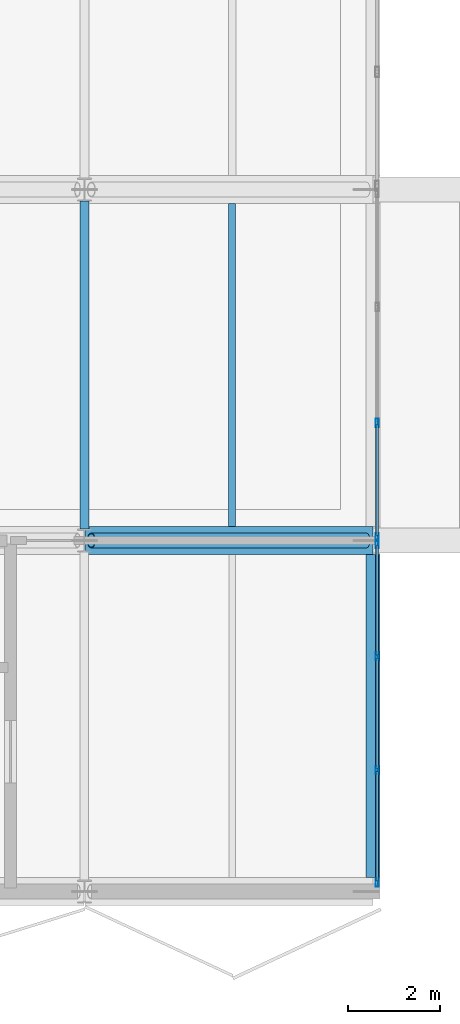
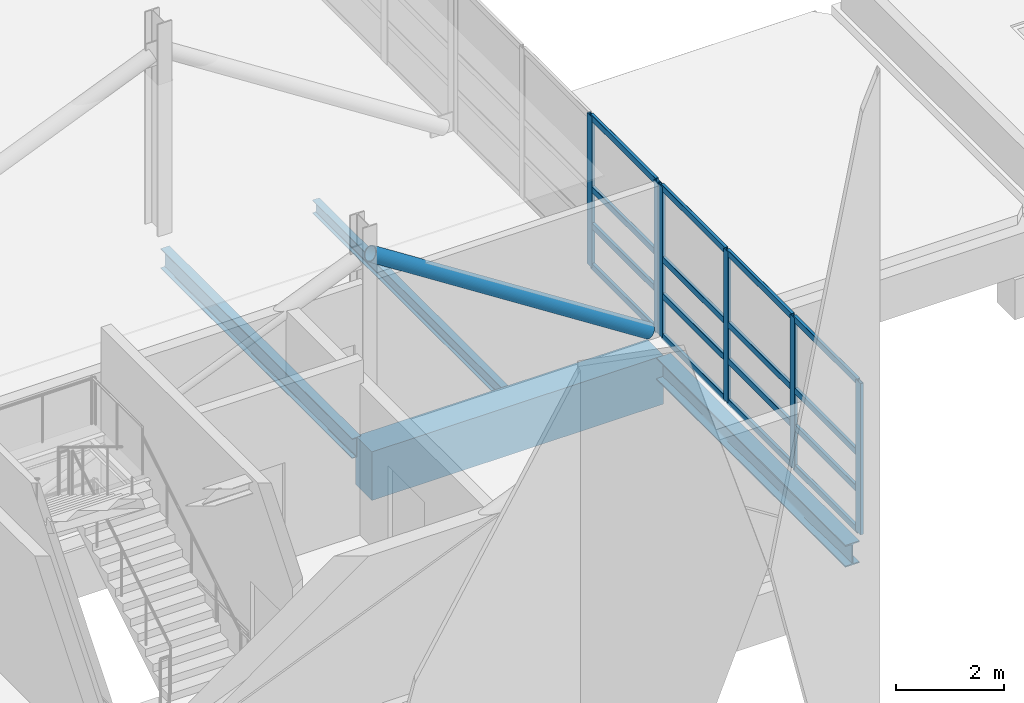
# One storey, part 11 of 107: 23 members, 4 beams, 2 elements without a shape of their own.
"""IFC4 building model written with IfcOpenShell, lengths in metres."""

import ifcopenshell
import ifcopenshell.guid

model = None  # the IFC model being written
_history = None  # IfcOwnerHistory: only IFC2X3 demands one
_inside = {}  # id of a spatial element -> (the spatial element, [elements in it])
_under = {}  # id of a project, library or spatial element -> (it, [spatial elements below it])
_declared = {}  # id of a project -> (the project, [libraries it declares])
_typed = {}  # id of a type object -> (the type object, [elements of that type])
_made_of = {}  # id of a material, layer set ... -> (it, [elements and type objects made of it])


def new_model(schema):
    """Start an empty IFC model of exactly this schema.

    Asked for "IFC4X3", IfcOpenShell would pick the latest addendum, in which some entities
    have other attributes; the version numbers below select the first issue.
    IFC2X3 requires an IfcOwnerHistory on every rooted entity: one is made here for all.
    """
    global model, _history
    if schema == "IFC4X3":
        model = ifcopenshell.file(schema_version=(4, 3, 0, 0))
    else:
        model = ifcopenshell.file(schema=schema)
    _inside.clear()
    _under.clear()
    _declared.clear()
    _typed.clear()
    _made_of.clear()
    _history = None
    if model.schema == "IFC2X3":
        org = make("IfcOrganization", Name="unknown")
        user = make(
            "IfcPersonAndOrganization",
            ThePerson=make("IfcPerson", FamilyName="unknown"),
            TheOrganization=org,
        )
        app = make(
            "IfcApplication",
            ApplicationDeveloper=org,
            Version="unknown",
            ApplicationFullName="unknown",
            ApplicationIdentifier="unknown",
        )
        _history = make(
            "IfcOwnerHistory",
            OwningUser=user,
            OwningApplication=app,
            ChangeAction="ADDED",
            CreationDate=0,
        )
    return model


def make(cls, **values):
    """One entity of the class cls with the attributes given. An attribute that is None is left unset."""
    return model.create_entity(
        cls, **{name: value for name, value in values.items() if value is not None}
    )


def rooted(cls, **values):
    """An entity with a GlobalId (a new one), such as an element, a storey or a relation."""
    return make(cls, GlobalId=ifcopenshell.guid.new(), OwnerHistory=_history, **values)


def si_unit(unit_type, name, prefix=None):
    """IfcSIUnit, for example si_unit("LENGTHUNIT", "METRE", prefix="MILLI")."""
    return make("IfcSIUnit", UnitType=unit_type, Prefix=prefix, Name=name)


def assignment(units):
    """IfcUnitAssignment: the units of a project."""
    return None if units is None else make("IfcUnitAssignment", Units=units)


def point(xyz):
    """IfcCartesianPoint."""
    return None if xyz is None else make("IfcCartesianPoint", Coordinates=xyz)


def direction(xyz):
    """IfcDirection."""
    return None if xyz is None else make("IfcDirection", DirectionRatios=xyz)


def frame(location, z_axis=None, x_axis=None):
    """IfcAxis2Placement3D, a coordinate frame: its origin and axes. An axis left out is left unset."""
    return make(
        "IfcAxis2Placement3D",
        Location=point(location),
        Axis=direction(z_axis),
        RefDirection=direction(x_axis),
    )


def frame_2d(location, x_axis=None):
    """IfcAxis2Placement2D, a coordinate frame in the plane: its origin and x axis."""
    return make(
        "IfcAxis2Placement2D", Location=point(location), RefDirection=direction(x_axis)
    )


def origin():
    """The frame at (0, 0, 0) with its axes left unset."""
    return frame((0.0, 0.0, 0.0))


def origin_2d():
    """The frame at (0, 0) in the plane with its x axis left unset."""
    return frame_2d((0.0, 0.0))


def place(relative_to, where):
    """IfcLocalPlacement: puts the frame where relative to a parent placement (None: the world)."""
    return make(
        "IfcLocalPlacement", PlacementRelTo=relative_to, RelativePlacement=where
    )


def context(
    kind, dimensions, precision=None, world=None, true_north=None, identifier=None
):
    """IfcGeometricRepresentationContext, for example the 3D "Model" context."""
    return make(
        "IfcGeometricRepresentationContext",
        ContextIdentifier=identifier,
        ContextType=kind,
        CoordinateSpaceDimension=dimensions,
        Precision=precision,
        WorldCoordinateSystem=world,
        TrueNorth=true_north,
    )


def subcontext(parent, identifier, kind, view, scale=None):
    """IfcGeometricRepresentationSubContext, for example "Body" below "Model"."""
    return make(
        "IfcGeometricRepresentationSubContext",
        ContextIdentifier=identifier,
        ContextType=kind,
        ParentContext=parent,
        TargetScale=scale,
        TargetView=view,
    )


def project(units=None, contexts=None):
    """IfcProject with its units and contexts."""
    return rooted(
        "IfcProject",
        Name="project",
        RepresentationContexts=contexts,
        UnitsInContext=assignment(units),
    )


def spatial(cls, under=None, at=None, **own):
    """A site, building, storey or space (cls), placed at a placement, below another one or the project."""
    s = rooted(cls, ObjectPlacement=at, **own)
    if under is not None:
        _under.setdefault(under.id(), (under, []))[1].append(s)
    return s


def profile(cls, at=None, kind="AREA", **sizes):
    """A parametric profile (cls). Its sizes go by their IFC names, for example OverallWidth=200.0."""
    return make(cls, ProfileType=kind, Position=at, **sizes)


def rectangle(**sizes):
    """IfcRectangleProfileDef."""
    return profile("IfcRectangleProfileDef", **sizes)


def hollow_rectangle(**sizes):
    """IfcRectangleHollowProfileDef."""
    return profile("IfcRectangleHollowProfileDef", **sizes)


def hollow_circle(**sizes):
    """IfcCircleHollowProfileDef."""
    return profile("IfcCircleHollowProfileDef", **sizes)


def i_section(**sizes):
    """IfcIShapeProfileDef."""
    return profile("IfcIShapeProfileDef", **sizes)


def extrude(swept, where, along, depth):
    """IfcExtrudedAreaSolid: the profile swept, set in the frame where, extruded along a direction by depth."""
    return make(
        "IfcExtrudedAreaSolid",
        SweptArea=swept,
        Position=where,
        ExtrudedDirection=direction(along),
        Depth=depth,
    )


def shape(context_of_items, identifier, shape_type, items):
    """IfcShapeRepresentation: the items that make up one representation, for example the "Body"."""
    return make(
        "IfcShapeRepresentation",
        ContextOfItems=context_of_items,
        RepresentationIdentifier=identifier,
        RepresentationType=shape_type,
        Items=items,
    )


def material(Name=None, Category=None):
    """IfcMaterial."""
    return make("IfcMaterial", Name=Name, Category=Category)


def material_profile(
    of_material, cross_section, Name=None, Category=None, Priority=None
):
    """IfcMaterialProfile: a cross section and its material."""
    return make(
        "IfcMaterialProfile",
        Name=Name,
        Material=of_material,
        Profile=cross_section,
        Priority=Priority,
        Category=Category,
    )


def profile_set(profiles, Name=None, composite=None):
    """IfcMaterialProfileSet."""
    return make(
        "IfcMaterialProfileSet",
        Name=Name,
        MaterialProfiles=profiles,
        CompositeProfile=composite,
    )


def made_of(thing, what):
    """Note that an element or type object is made of a material, layer set ...; save() writes the relation."""
    if what is not None:
        _made_of.setdefault(what.id(), (what, []))[1].append(thing)
    return thing


def type_object(cls, material=None, **own):
    """A type object (cls), such as IfcWallType, which elements share."""
    return made_of(rooted(cls, **own), material)


def element(
    cls,
    number,
    at=None,
    inside=None,
    cuts=None,
    type_object=None,
    material=None,
    context=None,
    identifier="Body",
    shape_type=None,
    held_by="IfcProductDefinitionShape",
    body=None,
    shapes=None,
    **own,
):
    """One element of the class cls, such as IfcWall. Its Tag is "e" and its number.

    at: its placement. inside: the storey or other place that contains it. cuts: it is an
    opening in that element (IfcRelVoidsElement). A single representation is given by context,
    identifier, shape_type and body (its items); several are given by shapes. held_by: the class
    of the entity that holds the representations. save() writes the other relations.
    """
    e = rooted(cls, Tag="e%d" % number, ObjectPlacement=at, **own)
    if body is not None:
        shapes = [shape(context, identifier, shape_type, body)]
    if shapes is not None:
        e.Representation = make(held_by, Representations=shapes)
    if inside is not None:
        _inside.setdefault(inside.id(), (inside, []))[1].append(e)
    if cuts is not None:
        rooted(
            "IfcRelVoidsElement", RelatingBuildingElement=cuts, RelatedOpeningElement=e
        )
    if type_object is not None:
        _typed.setdefault(type_object.id(), (type_object, []))[1].append(e)
    return made_of(e, material)


def aggregate(whole, parts):
    """IfcRelAggregates: a whole, such as a stair, and the parts it consists of."""
    return rooted("IfcRelAggregates", RelatingObject=whole, RelatedObjects=parts)


def save(model, path):
    """Write the relations noted so far, then the file.

    IfcRelAggregates (storeys below a building ...), IfcRelContainedInSpatialStructure (elements
    in a storey), IfcRelDefinesByType, IfcRelAssociatesMaterial and IfcRelDeclares: one each for
    every whole, place, type object, material and project.
    """
    for whole, parts in _under.values():
        aggregate(whole, parts)
    for where, things in _inside.values():
        rooted(
            "IfcRelContainedInSpatialStructure",
            RelatedElements=things,
            RelatingStructure=where,
        )
    for kind, things in _typed.values():
        rooted("IfcRelDefinesByType", RelatedObjects=things, RelatingType=kind)
    for what, things in _made_of.values():
        rooted("IfcRelAssociatesMaterial", RelatedObjects=things, RelatingMaterial=what)
    for by, libraries in _declared.values():
        rooted("IfcRelDeclares", RelatingContext=by, RelatedDefinitions=libraries)
    model.write(path)


model = new_model("IFC4")

# Units and contexts
model_context = context("Model", 3, precision=1e-05, world=origin(), true_north=direction((0.0, 1.0)))
body_context = subcontext(model_context, "Body", "Model", "MODEL_VIEW")
ifc_project = project(units=[si_unit("LENGTHUNIT", "METRE"), si_unit("AREAUNIT", "SQUARE_METRE"), si_unit("VOLUMEUNIT", "CUBIC_METRE"), si_unit("PLANEANGLEUNIT", "RADIAN"), si_unit("MASSUNIT", "GRAM", prefix="KILO")], contexts=[model_context])

# Site, building, storey
site_placement = place(None, origin())
site = spatial("IfcSite", under=ifc_project, at=site_placement, CompositionType="ELEMENT")
building_placement = place(site_placement, origin())
building = spatial("IfcBuilding", under=site, at=building_placement, Name="Khelvaren Railside Concert Hall", CompositionType="ELEMENT")
storey_placement = place(building_placement, frame((0.0, 0.0, 15.0)))
storey = spatial("IfcBuildingStorey", under=building, at=storey_placement, Name="L03", CompositionType="ELEMENT", Elevation=15.0)

# Beam
ifc_material_1 = material(Name="Steel S355", Category="steel")
ifc_material_profile_1 = material_profile(ifc_material_1, i_section(OverallWidth=0.18994140625, OverallDepth=0.449951171875, WebThickness=0.009521484375, FlangeThickness=0.0146484375, FilletRadius=0.02099609375, at=origin_2d()), Name="IPE 450")
ifc_profile_set_1 = profile_set([ifc_material_profile_1], Name="Steel S355")
beam_type_1 = type_object("IfcBeamType", Name="BM95", PredefinedType="BEAM", material=ifc_profile_set_1)
beam_1_placement = place(storey_placement, frame((49.60009765625, 7.85009765625, -0.5048828125), z_axis=(0.0, 1.0, 0.0), x_axis=(-1.0, 0.0, 0.0)))
element("IfcBeam", 1, at=beam_1_placement, inside=storey, type_object=beam_type_1, Name="V1 L03 Beam Y7.2", PredefinedType="BEAM", context=body_context, shape_type="SweptSolid", body=[
    extrude(i_section(OverallWidth=0.18994140625, OverallDepth=0.449951171875, WebThickness=0.009521484375, FlangeThickness=0.0146484375, FilletRadius=0.02099609375, at=origin_2d()), origin(), (0.0, 0.0, 1.0), 7.099853515625),
])

# Member
ifc_material_profile_2 = material_profile(ifc_material_1, hollow_circle(Radius=0.161865234375, WallThickness=0.01611328125, at=origin_2d()), Name="CHS 323.9x16")
ifc_profile_set_2 = profile_set([ifc_material_profile_2], Name="Steel S355")
member_type_1 = type_object("IfcMemberType", Name="BR78", PredefinedType="BRACE", material=ifc_profile_set_2)
member_1_placement = place(storey_placement, frame((49.75, 7.60009765625, 3.97998046875), z_axis=(0.840849865516, 0.0, -0.541268421083), x_axis=(0.0, 1.0, 0.0)))
element("IfcMember", 2, at=member_1_placement, inside=storey, type_object=member_type_1, Name="V1 L03 Plaza Cantilever Truss Diagonal 2A", PredefinedType="BRACE", context=body_context, shape_type="SweptSolid", body=[
    extrude(hollow_circle(Radius=0.161865234375, WallThickness=0.01611328125, at=origin_2d()), origin(), (0.0, 0.0, 1.0), 7.076171875),
])

# Curtain wall, members
ifc_material_2 = material(Name="Double-glazed low-E dark acoustic glass", Category="glass")
curtain_wall_type_1 = type_object("IfcCurtainWallType", Name="CW94", PredefinedType="USERDEFINED", material=ifc_material_2)
curtain_wall_1_placement = place(storey_placement, origin())
curtain_wall_1 = element("IfcCurtainWall", 3, at=curtain_wall_1_placement, inside=storey, type_object=curtain_wall_type_1, Name="Unitised Curtain Wall CW-V1-L03-E-0", ObjectType="UNITISED CURTAIN WALL", PredefinedType="USERDEFINED")
ifc_material_3 = material(Name="Anodised architectural aluminium 6063-T6", Category="aluminium")
ifc_material_profile_3 = material_profile(ifc_material_3, hollow_rectangle(XDim=0.06494140625, YDim=0.179931640625, WallThickness=0.00390625, InnerFilletRadius=0.001953125, OuterFilletRadius=0.00390625, at=origin_2d()), Name="CWM 65x180x4")
ifc_profile_set_3 = profile_set([ifc_material_profile_3], Name="Anodised architectural aluminium 6063-T6")
member_type_2 = type_object("IfcMemberType", Name="CWM63", PredefinedType="MULLION", material=ifc_profile_set_3)
member_2_placement = place(storey_placement, frame((55.93994140625, 7.527587890625, 0.0), z_axis=(0.0, 0.0, 1.0), x_axis=(1.0, 0.0, 0.0)))
member_2 = element("IfcMember", 4, at=member_2_placement, type_object=member_type_2, Name="CW94 mullion 1", PredefinedType="MULLION", context=body_context, shape_type="SweptSolid", body=[
    extrude(hollow_rectangle(XDim=0.06494140625, YDim=0.179931640625, WallThickness=0.00390625, InnerFilletRadius=0.001953125, OuterFilletRadius=0.00390625, at=origin_2d()), origin(), (0.0, 0.0, 1.0), 3.419921875),
])
member_3_placement = place(storey_placement, frame((55.93994140625, 5.09326171875, 0.0), z_axis=(0.0, 0.0, 1.0), x_axis=(1.0, 0.0, 0.0)))
member_3 = element("IfcMember", 5, at=member_3_placement, type_object=member_type_2, Name="CW94 mullion 2", PredefinedType="MULLION", context=body_context, shape_type="SweptSolid", body=[
    extrude(hollow_rectangle(XDim=0.06494140625, YDim=0.179931640625, WallThickness=0.00390625, InnerFilletRadius=0.001953125, OuterFilletRadius=0.00390625, at=origin_2d()), origin(), (0.0, 0.0, 1.0), 3.419921875),
])
member_4_placement = place(storey_placement, frame((55.93994140625, 2.626708984375, 0.0), z_axis=(0.0, 0.0, 1.0), x_axis=(1.0, 0.0, 0.0)))
member_4 = element("IfcMember", 6, at=member_4_placement, type_object=member_type_2, Name="CW94 mullion 3", PredefinedType="MULLION", context=body_context, shape_type="SweptSolid", body=[
    extrude(hollow_rectangle(XDim=0.06494140625, YDim=0.179931640625, WallThickness=0.00390625, InnerFilletRadius=0.001953125, OuterFilletRadius=0.00390625, at=origin_2d()), origin(), (0.0, 0.0, 1.0), 3.419921875),
])
member_5_placement = place(storey_placement, frame((55.93994140625, 0.1923828125, 0.0), z_axis=(0.0, 0.0, 1.0), x_axis=(1.0, 0.0, 0.0)))
member_5 = element("IfcMember", 7, at=member_5_placement, type_object=member_type_2, Name="CW94 mullion 4", PredefinedType="MULLION", context=body_context, shape_type="SweptSolid", body=[
    extrude(hollow_rectangle(XDim=0.06494140625, YDim=0.179931640625, WallThickness=0.00390625, InnerFilletRadius=0.001953125, OuterFilletRadius=0.00390625, at=origin_2d()), origin(), (0.0, 0.0, 1.0), 3.419921875),
])

curtain_wall_type_2 = type_object("IfcCurtainWallType", Name="CW65", PredefinedType="USERDEFINED", material=ifc_material_2)
curtain_wall_2_placement = place(storey_placement, origin())
curtain_wall_2 = element("IfcCurtainWall", 8, at=curtain_wall_2_placement, inside=storey, type_object=curtain_wall_type_2, Name="Unitised Curtain Wall CW-V1-L03-E-8", ObjectType="UNITISED CURTAIN WALL", PredefinedType="USERDEFINED")
member_6_placement = place(storey_placement, frame((55.93994140625, 10.146728515625, 0.0), z_axis=(0.0, 0.0, 1.0), x_axis=(1.0, 0.0, 0.0)))
member_6 = element("IfcMember", 9, at=member_6_placement, type_object=member_type_2, Name="CW65 mullion 3", PredefinedType="MULLION", context=body_context, shape_type="SweptSolid", body=[
    extrude(hollow_rectangle(XDim=0.06494140625, YDim=0.179931640625, WallThickness=0.00390625, InnerFilletRadius=0.001953125, OuterFilletRadius=0.00390625, at=origin_2d()), origin(), (0.0, 0.0, 1.0), 3.419921875),
])
member_7_placement = place(storey_placement, frame((55.93994140625, 7.672607421875, 0.0), z_axis=(0.0, 0.0, 1.0), x_axis=(1.0, 0.0, 0.0)))
member_7 = element("IfcMember", 10, at=member_7_placement, type_object=member_type_2, Name="CW65 mullion 4", PredefinedType="MULLION", context=body_context, shape_type="SweptSolid", body=[
    extrude(hollow_rectangle(XDim=0.06494140625, YDim=0.179931640625, WallThickness=0.00390625, InnerFilletRadius=0.001953125, OuterFilletRadius=0.00390625, at=origin_2d()), origin(), (0.0, 0.0, 1.0), 3.419921875),
])

# Member
ifc_material_profile_4 = material_profile(ifc_material_3, hollow_rectangle(XDim=0.06494140625, YDim=0.139892578125, WallThickness=0.00390625, InnerFilletRadius=0.001953125, OuterFilletRadius=0.00390625, at=origin_2d()), Name="CWT 65x140x4")
ifc_profile_set_4 = profile_set([ifc_material_profile_4], Name="Anodised architectural aluminium 6063-T6")
member_type_3 = type_object("IfcMemberType", Name="CWT72", PredefinedType="USERDEFINED", material=ifc_profile_set_4)
member_8_placement = place(storey_placement, frame((55.93994140625, 7.4951171875, 0.032470703125), z_axis=(0.0, -1.0, 0.0), x_axis=(1.0, 0.0, 0.0)))
member_8 = element("IfcMember", 11, at=member_8_placement, type_object=member_type_3, Name="CW94 transom 1.1", ObjectType="TRANSOM", PredefinedType="USERDEFINED", context=body_context, shape_type="SweptSolid", body=[
    extrude(hollow_rectangle(XDim=0.06494140625, YDim=0.139892578125, WallThickness=0.00390625, InnerFilletRadius=0.001953125, OuterFilletRadius=0.00390625, at=origin_2d()), origin(), (0.0, 0.0, 1.0), 2.369384765625),
])

member_9_placement = place(storey_placement, frame((55.93994140625, 7.4951171875, 0.949951171875), z_axis=(0.0, -1.0, 0.0), x_axis=(1.0, 0.0, 0.0)))
member_9 = element("IfcMember", 12, at=member_9_placement, type_object=member_type_3, Name="CW94 transom 1.2", ObjectType="TRANSOM", PredefinedType="USERDEFINED", context=body_context, shape_type="SweptSolid", body=[
    extrude(hollow_rectangle(XDim=0.06494140625, YDim=0.139892578125, WallThickness=0.00390625, InnerFilletRadius=0.001953125, OuterFilletRadius=0.00390625, at=origin_2d()), origin(), (0.0, 0.0, 1.0), 2.369384765625),
])

member_10_placement = place(storey_placement, frame((55.93994140625, 7.4951171875, 1.7783203125), z_axis=(0.0, -1.0, 0.0), x_axis=(1.0, 0.0, 0.0)))
member_10 = element("IfcMember", 13, at=member_10_placement, type_object=member_type_3, Name="CW94 transom 1.3", ObjectType="TRANSOM", PredefinedType="USERDEFINED", context=body_context, shape_type="SweptSolid", body=[
    extrude(hollow_rectangle(XDim=0.06494140625, YDim=0.139892578125, WallThickness=0.00390625, InnerFilletRadius=0.001953125, OuterFilletRadius=0.00390625, at=origin_2d()), origin(), (0.0, 0.0, 1.0), 2.369384765625),
])

member_11_placement = place(storey_placement, frame((55.93994140625, 7.4951171875, 3.387451171875), z_axis=(0.0, -1.0, 0.0), x_axis=(1.0, 0.0, 0.0)))
member_11 = element("IfcMember", 14, at=member_11_placement, type_object=member_type_3, Name="CW94 transom 1.4", ObjectType="TRANSOM", PredefinedType="USERDEFINED", context=body_context, shape_type="SweptSolid", body=[
    extrude(hollow_rectangle(XDim=0.06494140625, YDim=0.139892578125, WallThickness=0.00390625, InnerFilletRadius=0.001953125, OuterFilletRadius=0.00390625, at=origin_2d()), origin(), (0.0, 0.0, 1.0), 2.369384765625),
])

member_12_placement = place(storey_placement, frame((55.93994140625, 5.060791015625, 0.032470703125), z_axis=(0.0, -1.0, 0.0), x_axis=(1.0, 0.0, 0.0)))
member_12 = element("IfcMember", 15, at=member_12_placement, type_object=member_type_3, Name="CW94 transom 2.1", ObjectType="TRANSOM", PredefinedType="USERDEFINED", context=body_context, shape_type="SweptSolid", body=[
    extrude(hollow_rectangle(XDim=0.06494140625, YDim=0.139892578125, WallThickness=0.00390625, InnerFilletRadius=0.001953125, OuterFilletRadius=0.00390625, at=origin_2d()), origin(), (0.0, 0.0, 1.0), 2.401611328125),
])

member_13_placement = place(storey_placement, frame((55.93994140625, 5.060791015625, 0.949951171875), z_axis=(0.0, -1.0, 0.0), x_axis=(1.0, 0.0, 0.0)))
member_13 = element("IfcMember", 16, at=member_13_placement, type_object=member_type_3, Name="CW94 transom 2.2", ObjectType="TRANSOM", PredefinedType="USERDEFINED", context=body_context, shape_type="SweptSolid", body=[
    extrude(hollow_rectangle(XDim=0.06494140625, YDim=0.139892578125, WallThickness=0.00390625, InnerFilletRadius=0.001953125, OuterFilletRadius=0.00390625, at=origin_2d()), origin(), (0.0, 0.0, 1.0), 2.401611328125),
])

member_14_placement = place(storey_placement, frame((55.93994140625, 5.060791015625, 1.7783203125), z_axis=(0.0, -1.0, 0.0), x_axis=(1.0, 0.0, 0.0)))
member_14 = element("IfcMember", 17, at=member_14_placement, type_object=member_type_3, Name="CW94 transom 2.3", ObjectType="TRANSOM", PredefinedType="USERDEFINED", context=body_context, shape_type="SweptSolid", body=[
    extrude(hollow_rectangle(XDim=0.06494140625, YDim=0.139892578125, WallThickness=0.00390625, InnerFilletRadius=0.001953125, OuterFilletRadius=0.00390625, at=origin_2d()), origin(), (0.0, 0.0, 1.0), 2.401611328125),
])

member_15_placement = place(storey_placement, frame((55.93994140625, 5.060791015625, 3.387451171875), z_axis=(0.0, -1.0, 0.0), x_axis=(1.0, 0.0, 0.0)))
member_15 = element("IfcMember", 18, at=member_15_placement, type_object=member_type_3, Name="CW94 transom 2.4", ObjectType="TRANSOM", PredefinedType="USERDEFINED", context=body_context, shape_type="SweptSolid", body=[
    extrude(hollow_rectangle(XDim=0.06494140625, YDim=0.139892578125, WallThickness=0.00390625, InnerFilletRadius=0.001953125, OuterFilletRadius=0.00390625, at=origin_2d()), origin(), (0.0, 0.0, 1.0), 2.401611328125),
])

member_16_placement = place(storey_placement, frame((55.93994140625, 2.59423828125, 0.032470703125), z_axis=(0.0, -1.0, 0.0), x_axis=(1.0, 0.0, 0.0)))
member_16 = element("IfcMember", 19, at=member_16_placement, type_object=member_type_3, Name="CW94 transom 3.1", ObjectType="TRANSOM", PredefinedType="USERDEFINED", context=body_context, shape_type="SweptSolid", body=[
    extrude(hollow_rectangle(XDim=0.06494140625, YDim=0.139892578125, WallThickness=0.00390625, InnerFilletRadius=0.001953125, OuterFilletRadius=0.00390625, at=origin_2d()), origin(), (0.0, 0.0, 1.0), 2.369140625),
])

member_17_placement = place(storey_placement, frame((55.93994140625, 2.59423828125, 0.949951171875), z_axis=(0.0, -1.0, 0.0), x_axis=(1.0, 0.0, 0.0)))
member_17 = element("IfcMember", 20, at=member_17_placement, type_object=member_type_3, Name="CW94 transom 3.2", ObjectType="TRANSOM", PredefinedType="USERDEFINED", context=body_context, shape_type="SweptSolid", body=[
    extrude(hollow_rectangle(XDim=0.06494140625, YDim=0.139892578125, WallThickness=0.00390625, InnerFilletRadius=0.001953125, OuterFilletRadius=0.00390625, at=origin_2d()), origin(), (0.0, 0.0, 1.0), 2.369140625),
])

member_18_placement = place(storey_placement, frame((55.93994140625, 2.59423828125, 1.7783203125), z_axis=(0.0, -1.0, 0.0), x_axis=(1.0, 0.0, 0.0)))
member_18 = element("IfcMember", 21, at=member_18_placement, type_object=member_type_3, Name="CW94 transom 3.3", ObjectType="TRANSOM", PredefinedType="USERDEFINED", context=body_context, shape_type="SweptSolid", body=[
    extrude(hollow_rectangle(XDim=0.06494140625, YDim=0.139892578125, WallThickness=0.00390625, InnerFilletRadius=0.001953125, OuterFilletRadius=0.00390625, at=origin_2d()), origin(), (0.0, 0.0, 1.0), 2.369140625),
])

member_19_placement = place(storey_placement, frame((55.93994140625, 2.59423828125, 3.387451171875), z_axis=(0.0, -1.0, 0.0), x_axis=(1.0, 0.0, 0.0)))
member_19 = element("IfcMember", 22, at=member_19_placement, type_object=member_type_3, Name="CW94 transom 3.4", ObjectType="TRANSOM", PredefinedType="USERDEFINED", context=body_context, shape_type="SweptSolid", body=[
    extrude(hollow_rectangle(XDim=0.06494140625, YDim=0.139892578125, WallThickness=0.00390625, InnerFilletRadius=0.001953125, OuterFilletRadius=0.00390625, at=origin_2d()), origin(), (0.0, 0.0, 1.0), 2.369140625),
])

aggregate(curtain_wall_1, [member_2, member_3, member_4, member_5, member_8, member_9, member_10, member_11, member_12, member_13, member_14, member_15, member_16, member_17, member_18, member_19])

member_20_placement = place(storey_placement, frame((55.93994140625, 10.1142578125, 0.032470703125), z_axis=(0.0, -1.0, 0.0), x_axis=(1.0, 0.0, 0.0)))
member_20 = element("IfcMember", 23, at=member_20_placement, type_object=member_type_3, Name="CW65 transom 3.1", ObjectType="TRANSOM", PredefinedType="USERDEFINED", context=body_context, shape_type="SweptSolid", body=[
    extrude(hollow_rectangle(XDim=0.06494140625, YDim=0.139892578125, WallThickness=0.00390625, InnerFilletRadius=0.001953125, OuterFilletRadius=0.00390625, at=origin_2d()), origin(), (0.0, 0.0, 1.0), 2.4091796875),
])

member_21_placement = place(storey_placement, frame((55.93994140625, 10.1142578125, 0.949951171875), z_axis=(0.0, -1.0, 0.0), x_axis=(1.0, 0.0, 0.0)))
member_21 = element("IfcMember", 24, at=member_21_placement, type_object=member_type_3, Name="CW65 transom 3.2", ObjectType="TRANSOM", PredefinedType="USERDEFINED", context=body_context, shape_type="SweptSolid", body=[
    extrude(hollow_rectangle(XDim=0.06494140625, YDim=0.139892578125, WallThickness=0.00390625, InnerFilletRadius=0.001953125, OuterFilletRadius=0.00390625, at=origin_2d()), origin(), (0.0, 0.0, 1.0), 2.4091796875),
])

member_22_placement = place(storey_placement, frame((55.93994140625, 10.1142578125, 1.7783203125), z_axis=(0.0, -1.0, 0.0), x_axis=(1.0, 0.0, 0.0)))
member_22 = element("IfcMember", 25, at=member_22_placement, type_object=member_type_3, Name="CW65 transom 3.3", ObjectType="TRANSOM", PredefinedType="USERDEFINED", context=body_context, shape_type="SweptSolid", body=[
    extrude(hollow_rectangle(XDim=0.06494140625, YDim=0.139892578125, WallThickness=0.00390625, InnerFilletRadius=0.001953125, OuterFilletRadius=0.00390625, at=origin_2d()), origin(), (0.0, 0.0, 1.0), 2.4091796875),
])

member_23_placement = place(storey_placement, frame((55.93994140625, 10.1142578125, 3.387451171875), z_axis=(0.0, -1.0, 0.0), x_axis=(1.0, 0.0, 0.0)))
member_23 = element("IfcMember", 26, at=member_23_placement, type_object=member_type_3, Name="CW65 transom 3.4", ObjectType="TRANSOM", PredefinedType="USERDEFINED", context=body_context, shape_type="SweptSolid", body=[
    extrude(hollow_rectangle(XDim=0.06494140625, YDim=0.139892578125, WallThickness=0.00390625, InnerFilletRadius=0.001953125, OuterFilletRadius=0.00390625, at=origin_2d()), origin(), (0.0, 0.0, 1.0), 2.4091796875),
])

aggregate(curtain_wall_2, [member_6, member_7, member_20, member_21, member_22, member_23])

# Beams
ifc_material_4 = material(Name="Concrete C40/50", Category="concrete")
ifc_material_profile_5 = material_profile(ifc_material_4, rectangle(XDim=0.60009765625, YDim=1.10009765625, at=origin_2d()), Name="RCB 600x1100")
ifc_profile_set_5 = profile_set([ifc_material_profile_5], Name="Concrete C40/50")
beam_type_2 = type_object("IfcBeamType", Name="GR15", PredefinedType="T_BEAM", material=ifc_profile_set_5)
beam_2_placement = place(storey_placement, frame((49.610107421875, 7.60009765625, -0.830078125), z_axis=(1.0, 0.0, 0.0), x_axis=(0.0, 1.0, 0.0)))
element("IfcBeam", 27, at=beam_2_placement, inside=storey, type_object=beam_type_2, Name="V1 L03 Arrival Cantilever Girder 2", PredefinedType="T_BEAM", context=body_context, shape_type="SweptSolid", body=[
    extrude(rectangle(XDim=0.60009765625, YDim=1.10009765625, at=origin_2d()), origin(), (0.0, 0.0, 1.0), 6.239990234375),
])
ifc_material_profile_6 = material_profile(ifc_material_1, i_section(OverallWidth=0.14990234375, OverallDepth=0.300048828125, WebThickness=0.007080078125, FlangeThickness=0.0107421875, FilletRadius=0.014892578125, at=origin_2d()), Name="IPE 300")
ifc_profile_set_6 = profile_set([ifc_material_profile_6], Name="Steel S355")
beam_type_3 = type_object("IfcBeamType", Name="JS26", PredefinedType="JOIST", material=ifc_profile_set_6)
beam_3_placement = place(storey_placement, frame((52.800048828125, 7.89990234375, -0.429931640625), z_axis=(0.0, 1.0, 0.0), x_axis=(-1.0, 0.0, 0.0)))
element("IfcBeam", 28, at=beam_3_placement, inside=storey, type_object=beam_type_3, Name="V1 L03 Secondary Joist 7.2", PredefinedType="JOIST", context=body_context, shape_type="SweptSolid", body=[
    extrude(i_section(OverallWidth=0.14990234375, OverallDepth=0.300048828125, WebThickness=0.007080078125, FlangeThickness=0.0107421875, FilletRadius=0.014892578125, at=origin_2d()), origin(), (0.0, 0.0, 1.0), 7.0),
])
ifc_material_profile_7 = material_profile(ifc_material_1, i_section(OverallWidth=0.300048828125, OverallDepth=0.5, WebThickness=0.014404296875, FlangeThickness=0.028076171875, FilletRadius=0.027099609375, at=origin_2d()), Name="HEB 500")
ifc_profile_set_7 = profile_set([ifc_material_profile_7], Name="Steel S355")
beam_type_4 = type_object("IfcBeamType", Name="SP12", PredefinedType="SPANDREL", material=ifc_profile_set_7)
beam_4_placement = place(storey_placement, frame((55.85009765625, 0.300048828125, -0.530029296875), z_axis=(0.0, 1.0, 0.0), x_axis=(-1.0, 0.0, 0.0)))
element("IfcBeam", 29, at=beam_4_placement, inside=storey, type_object=beam_type_4, Name="V1 L03 Cantilever Tip Spandrel Y1", PredefinedType="SPANDREL", context=body_context, shape_type="SweptSolid", body=[
    extrude(i_section(OverallWidth=0.300048828125, OverallDepth=0.5, WebThickness=0.014404296875, FlangeThickness=0.028076171875, FilletRadius=0.027099609375, at=origin_2d()), origin(), (0.0, 0.0, 1.0), 7.0),
])

save(model, "model.ifc")
